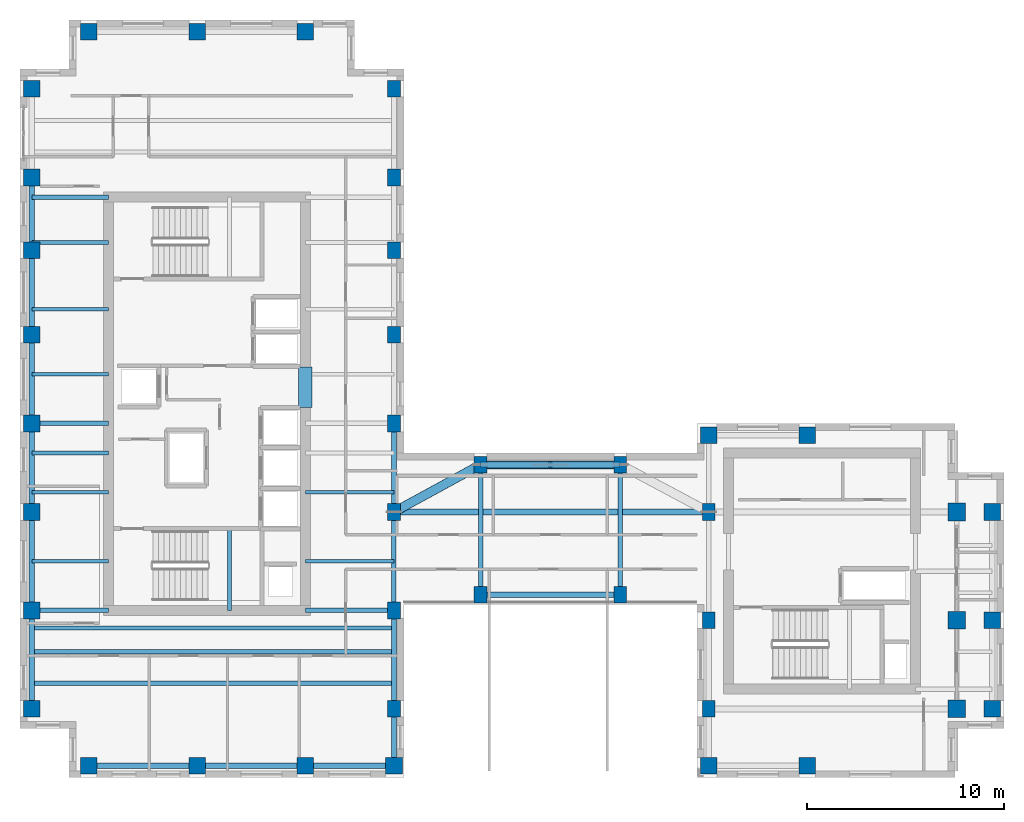
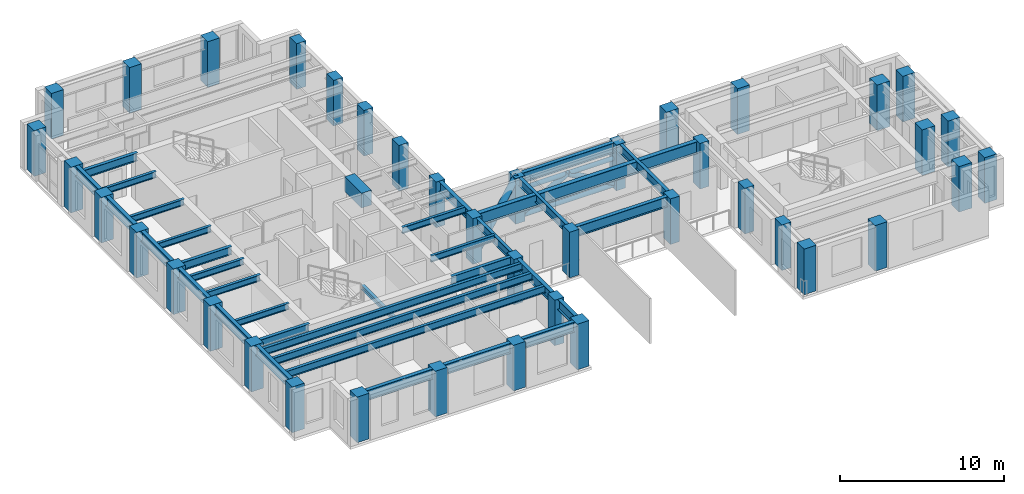
# One storey, part 1 of 14: 40 columns, 35 beams, 5 members.
"""IFC4 building model written with IfcOpenShell, lengths in metres."""

from ifc_helpers import new_model, si_unit, direction, frame, origin, origin_2d, place, context, subcontext, project, spatial, rectangle, hollow_circle, i_section, extrude, source, transform, mapped, material, material_profile, profile_set, type_object, element, save


model = new_model("IFC4")

# Units and contexts
model_context = context("Model", 3, precision=1e-05, world=origin(), true_north=direction((0.0, 1.0)))
body_context = subcontext(model_context, "Body", "Model", "MODEL_VIEW")
ifc_project = project(units=[si_unit("LENGTHUNIT", "METRE"), si_unit("AREAUNIT", "SQUARE_METRE"), si_unit("VOLUMEUNIT", "CUBIC_METRE"), si_unit("PLANEANGLEUNIT", "RADIAN"), si_unit("MASSUNIT", "GRAM", prefix="KILO")], contexts=[model_context])

# Site, building, storey
site_placement = place(None, origin())
site = spatial("IfcSite", under=ifc_project, at=site_placement, CompositionType="ELEMENT")
building_placement = place(site_placement, origin())
building = spatial("IfcBuilding", under=site, at=building_placement, Name="Kharzan Plaza Tower", CompositionType="ELEMENT")
storey_placement = place(building_placement, frame((0.0, 0.0, 241.199951171875)))
storey = spatial("IfcBuildingStorey", under=building, at=storey_placement, Name="L65", CompositionType="ELEMENT", Elevation=241.199951171875)

# Columns
ifc_material_1 = material(Name="Concrete C50/60", Category="concrete")
ifc_material_profile_1 = material_profile(ifc_material_1, rectangle(XDim=0.89990234375, YDim=0.89990234375, at=origin_2d()), Name="RC-IC900x900")
ifc_profile_set_1 = profile_set([ifc_material_profile_1], Name="Concrete C50/60")
column_type_1 = type_object("IfcColumnType", Name="COL-IC900", PredefinedType="COLUMN", material=ifc_profile_set_1)
shared_shape_1 = source(origin(), body_context, "Body", "SweptSolid", [
    extrude(rectangle(XDim=0.89990234375, YDim=0.89990234375, at=origin_2d()), origin(), (0.0, 0.0, 1.0), 3.400146484375),
])
for number, where, z_axis, x_axis, name in (
    (1, (47.60009765625, 13.5, 0.0), (0.0, 0.0, 1.0), (1.0, 0.0, 0.0), "L65 Structural Column TCBI-135"),
    (2, (47.60009765625, 3.5, 0.0), (0.0, 0.0, 1.0), (1.0, 0.0, 0.0), "L65 Structural Column TCBI-35"),
    (3, (47.60009765625, 8.0, 0.0), (0.0, 0.0, 1.0), (1.0, 0.0, 0.0), "L65 Structural Column TCBI-80"),
):
    element("IfcColumn", number, at=place(storey_placement, frame(where, z_axis=z_axis, x_axis=x_axis)), inside=storey, type_object=column_type_1, Name=name, PredefinedType="COLUMN", context=body_context, shape_type="MappedRepresentation", body=[
        mapped(shared_shape_1, transform((0.0, 0.0, 0.0), x_axis=(1.0, 0.0, 0.0), y_axis=(0.0, 1.0, 0.0), z_axis=(0.0, 0.0, 1.0))),
    ])
ifc_material_profile_2 = material_profile(ifc_material_1, rectangle(XDim=0.64990234375, YDim=0.85009765625, at=origin_2d()), Name="RC-SC850x650")
ifc_profile_set_2 = profile_set([ifc_material_profile_2], Name="Concrete C50/60")
column_type_2 = type_object("IfcColumnType", Name="COL-SC850", PredefinedType="COLUMN", material=ifc_profile_set_2)
shared_shape_2 = source(origin(), body_context, "Body", "SweptSolid", [
    extrude(rectangle(XDim=0.64990234375, YDim=0.85009765625, at=origin_2d()), origin(), (0.0, 0.0, 1.0), 3.400146484375),
])
for number, where, z_axis, x_axis, name in (
    (4, (19.0, 13.5, 0.0), (0.0, 0.0, 1.0), (1.0, 0.0, 0.0), "L65 Structural Column TCA-135"),
    (5, (19.0, 18.0, 0.0), (0.0, 0.0, 1.0), (1.0, 0.0, 0.0), "L65 Structural Column TCA-180"),
    (6, (19.0, 22.5, 0.0), (0.0, 0.0, 1.0), (1.0, 0.0, 0.0), "L65 Structural Column TCA-225"),
    (7, (19.0, 26.800048828125, 0.0), (0.0, 0.0, 1.0), (1.0, 0.0, 0.0), "L65 Structural Column TCA-268"),
    (8, (19.0, 30.5, 0.0), (0.0, 0.0, 1.0), (1.0, 0.0, 0.0), "L65 Structural Column TCA-305"),
    (9, (19.0, 3.5, 0.0), (0.0, 0.0, 1.0), (1.0, 0.0, 0.0), "L65 Structural Column TCA-35"),
    (10, (19.0, 35.0, 0.0), (0.0, 0.0, 1.0), (1.0, 0.0, 0.0), "L65 Structural Column TCA-350"),
    (11, (19.0, 8.5, 0.0), (0.0, 0.0, 1.0), (1.0, 0.0, 0.0), "L65 Structural Column TCA-85"),
    (12, (35.0, 13.5, 0.0), (0.0, 0.0, 1.0), (1.0, 0.0, 0.0), "L65 Structural Column TCBS-135"),
    (13, (35.0, 3.5, 0.0), (0.0, 0.0, 1.0), (1.0, 0.0, 0.0), "L65 Structural Column TCBS-35"),
    (14, (35.0, 8.0, 0.0), (0.0, 0.0, 1.0), (1.0, 0.0, 0.0), "L65 Structural Column TCBS-80"),
    (15, (23.39990234375, 15.89990234375, 0.0), (0.0, 0.0, 1.0), (1.0, 0.0, 0.0), "L65 Structural Column TCSP-234-159"),
    (16, (23.39990234375, 9.300048828125, 0.0), (0.0, 0.0, 1.0), (1.0, 0.0, 0.0), "L65 Structural Column TCSP-234-93"),
    (17, (30.5, 15.89990234375, 0.0), (0.0, 0.0, 1.0), (1.0, 0.0, 0.0), "L65 Structural Column TCSP-305-159"),
    (18, (30.5, 9.300048828125, 0.0), (0.0, 0.0, 1.0), (1.0, 0.0, 0.0), "L65 Structural Column TCSP-305-93"),
):
    element("IfcColumn", number, at=place(storey_placement, frame(where, z_axis=z_axis, x_axis=x_axis)), inside=storey, type_object=column_type_2, Name=name, PredefinedType="COLUMN", context=body_context, shape_type="MappedRepresentation", body=[
        mapped(shared_shape_2, transform((0.0, 0.0, 0.0), x_axis=(1.0, 0.0, 0.0), y_axis=(0.0, 1.0, 0.0), z_axis=(0.0, 0.0, 1.0))),
    ])
ifc_material_profile_3 = material_profile(ifc_material_1, rectangle(XDim=0.85009765625, YDim=0.85009765625, at=origin_2d()), Name="RC-TC850x850")
ifc_profile_set_3 = profile_set([ifc_material_profile_3], Name="Concrete C50/60")
column_type_3 = type_object("IfcColumnType", Name="COL-TC850", PredefinedType="COLUMN", material=ifc_profile_set_3)
shared_shape_3 = source(origin(), body_context, "Body", "SweptSolid", [
    extrude(rectangle(XDim=0.85009765625, YDim=0.85009765625, at=origin_2d()), origin(), (0.0, 0.0, 1.0), 3.400146484375),
])
for number, where, z_axis, x_axis, name in (
    (19, (35.0, 17.39990234375, 0.0), (0.0, 0.0, 1.0), (1.0, 0.0, 0.0), "L65 Structural Column TCBN-350-174"),
    (20, (40.0, 17.39990234375, 0.0), (0.0, 0.0, 1.0), (1.0, 0.0, 0.0), "L65 Structural Column TCBN-400-174"),
    (21, (49.39990234375, 13.5, 0.0), (0.0, 0.0, 1.0), (1.0, 0.0, 0.0), "L65 Structural Column TCE-494-135"),
    (22, (49.39990234375, 3.5, 0.0), (0.0, 0.0, 1.0), (1.0, 0.0, 0.0), "L65 Structural Column TCE-494-35"),
    (23, (49.39990234375, 8.0, 0.0), (0.0, 0.0, 1.0), (1.0, 0.0, 0.0), "L65 Structural Column TCE-494-80"),
    (24, (14.5, 37.89990234375, 0.0), (0.0, 0.0, 1.0), (1.0, 0.0, 0.0), "L65 Structural Column TCN-145-379"),
    (25, (3.5, 37.89990234375, 0.0), (0.0, 0.0, 1.0), (1.0, 0.0, 0.0), "L65 Structural Column TCN-35-379"),
    (26, (9.0, 37.89990234375, 0.0), (0.0, 0.0, 1.0), (1.0, 0.0, 0.0), "L65 Structural Column TCN-90-379"),
    (27, (14.5, 0.60009765625, 0.0), (0.0, 0.0, 1.0), (1.0, 0.0, 0.0), "L65 Structural Column TCS-145"),
    (28, (19.0, 0.60009765625, 0.0), (0.0, 0.0, 1.0), (1.0, 0.0, 0.0), "L65 Structural Column TCS-190"),
    (29, (3.5, 0.60009765625, 0.0), (0.0, 0.0, 1.0), (1.0, 0.0, 0.0), "L65 Structural Column TCS-35"),
    (30, (35.0, 0.60009765625, 0.0), (0.0, 0.0, 1.0), (1.0, 0.0, 0.0), "L65 Structural Column TCS-350"),
    (31, (40.0, 0.60009765625, 0.0), (0.0, 0.0, 1.0), (1.0, 0.0, 0.0), "L65 Structural Column TCS-400"),
    (32, (9.0, 0.60009765625, 0.0), (0.0, 0.0, 1.0), (1.0, 0.0, 0.0), "L65 Structural Column TCS-90"),
    (33, (0.60009765625, 13.5, 0.0), (0.0, 0.0, 1.0), (1.0, 0.0, 0.0), "L65 Structural Column TCW-135"),
    (34, (0.60009765625, 18.0, 0.0), (0.0, 0.0, 1.0), (1.0, 0.0, 0.0), "L65 Structural Column TCW-180"),
    (35, (0.60009765625, 22.5, 0.0), (0.0, 0.0, 1.0), (1.0, 0.0, 0.0), "L65 Structural Column TCW-225"),
    (36, (0.60009765625, 26.800048828125, 0.0), (0.0, 0.0, 1.0), (1.0, 0.0, 0.0), "L65 Structural Column TCW-268"),
    (37, (0.60009765625, 30.5, 0.0), (0.0, 0.0, 1.0), (1.0, 0.0, 0.0), "L65 Structural Column TCW-305"),
    (38, (0.60009765625, 3.5, 0.0), (0.0, 0.0, 1.0), (1.0, 0.0, 0.0), "L65 Structural Column TCW-35"),
    (39, (0.60009765625, 35.0, 0.0), (0.0, 0.0, 1.0), (1.0, 0.0, 0.0), "L65 Structural Column TCW-350"),
    (40, (0.60009765625, 8.5, 0.0), (0.0, 0.0, 1.0), (1.0, 0.0, 0.0), "L65 Structural Column TCW-85"),
):
    element("IfcColumn", number, at=place(storey_placement, frame(where, z_axis=z_axis, x_axis=x_axis)), inside=storey, type_object=column_type_3, Name=name, PredefinedType="COLUMN", context=body_context, shape_type="MappedRepresentation", body=[
        mapped(shared_shape_3, transform((0.0, 0.0, 0.0), x_axis=(1.0, 0.0, 0.0), y_axis=(0.0, 1.0, 0.0), z_axis=(0.0, 0.0, 1.0))),
    ])

# Beams
ifc_material_2 = material(Name="Concrete C60/75", Category="concrete")
ifc_material_profile_4 = material_profile(ifc_material_2, rectangle(XDim=0.699951171875, YDim=1.10009765625, at=origin_2d()), Name="RC-CB1100x700")
ifc_profile_set_4 = profile_set([ifc_material_profile_4], Name="Concrete C60/75")
beam_type_1 = type_object("IfcBeamType", Name="BM-RCCB1100", PredefinedType="LINTEL", material=ifc_profile_set_4)
shared_shape_4 = source(origin(), body_context, "Body", "SweptSolid", [
    extrude(rectangle(XDim=0.699951171875, YDim=1.10009765625, at=origin_2d()), origin(), (0.0, 0.0, 1.0), 2.059814453125),
])
beam_1_placement = place(storey_placement, frame((14.5, 18.820068359375, 2.85009765625), z_axis=(0.0, 1.0, 0.0), x_axis=(-1.0, 0.0, 0.0)))
element("IfcBeam", 41, at=beam_1_placement, inside=storey, type_object=beam_type_1, Name="L65 CORE-A RC coupling beam CB1", PredefinedType="LINTEL", context=body_context, shape_type="MappedRepresentation", body=[
    mapped(shared_shape_4, transform((0.0, 0.0, 0.0), x_axis=(1.0, 0.0, 0.0), y_axis=(0.0, 1.0, 0.0), z_axis=(0.0, 0.0, 1.0))),
])
ifc_material_3 = material(Name="Steel S355", Category="steel")
ifc_material_profile_5 = material_profile(ifc_material_3, i_section(OverallWidth=0.205078125, OverallDepth=0.35400390625, WebThickness=0.009521484375, FlangeThickness=0.016845703125, at=origin_2d()), Name="W360x79")
ifc_profile_set_5 = profile_set([ifc_material_profile_5], Name="Steel S355")
beam_type_2 = type_object("IfcBeamType", Name="BM-LNT360", PredefinedType="LINTEL", material=ifc_profile_set_5)
shared_shape_5 = source(origin(), body_context, "Body", "SweptSolid", [
    extrude(i_section(OverallWidth=0.205078125, OverallDepth=0.35400390625, WebThickness=0.009521484375, FlangeThickness=0.016845703125, at=origin_2d()), origin(), (0.0, 0.0, 1.0), 4.155029296875),
])
beam_2_placement = place(storey_placement, frame((10.64990234375, 8.5, 1.423095703125), z_axis=(0.0, 1.0, 0.0), x_axis=(-1.0, 0.0, 0.0)))
element("IfcBeam", 42, at=beam_2_placement, inside=storey, type_object=beam_type_2, Name="L65 Stair ST-1 Half-Landing Beam", PredefinedType="LINTEL", context=body_context, shape_type="MappedRepresentation", body=[
    mapped(shared_shape_5, transform((0.0, 0.0, 0.0), x_axis=(1.0, 0.0, 0.0), y_axis=(0.0, 1.0, 0.0), z_axis=(0.0, 0.0, 1.0))),
])
ifc_material_profile_6 = material_profile(ifc_material_3, i_section(OverallWidth=0.304931640625, OverallDepth=0.9189453125, WebThickness=0.017333984375, FlangeThickness=0.02783203125, at=origin_2d()), Name="W920x253")
ifc_profile_set_6 = profile_set([ifc_material_profile_6], Name="Steel S355")
beam_type_3 = type_object("IfcBeamType", Name="BM-FG920B", PredefinedType="BEAM", material=ifc_profile_set_6)
shared_shape_6 = source(origin(), body_context, "Body", "SweptSolid", [
    extrude(i_section(OverallWidth=0.304931640625, OverallDepth=0.9189453125, WebThickness=0.017333984375, FlangeThickness=0.02783203125, at=origin_2d()), origin(), (0.0, 0.0, 1.0), 16.0),
])
beam_3_placement = place(storey_placement, frame((19.0, 13.5, 2.9404296875), z_axis=(1.0, 0.0, 0.0), x_axis=(0.0, 1.0, 0.0)))
element("IfcBeam", 43, at=beam_3_placement, inside=storey, type_object=beam_type_3, Name="L65 Primary Floor Girder", PredefinedType="BEAM", context=body_context, shape_type="MappedRepresentation", body=[
    mapped(shared_shape_6, transform((0.0, 0.0, 0.0), x_axis=(1.0, 0.0, 0.0), y_axis=(0.0, 1.0, 0.0), z_axis=(0.0, 0.0, 1.0))),
])
ifc_material_profile_7 = material_profile(ifc_material_3, i_section(OverallWidth=0.2099609375, OverallDepth=0.537109375, WebThickness=0.010986328125, FlangeThickness=0.017333984375, at=origin_2d()), Name="W530x101")
ifc_profile_set_7 = profile_set([ifc_material_profile_7], Name="Steel S355")
beam_type_4 = type_object("IfcBeamType", Name="BM-JST530B", PredefinedType="JOIST", material=ifc_profile_set_7)
shared_shape_7 = source(origin(), body_context, "Body", "SweptSolid", [
    extrude(i_section(OverallWidth=0.2099609375, OverallDepth=0.537109375, WebThickness=0.010986328125, FlangeThickness=0.017333984375, at=origin_2d()), origin(), (0.0, 0.0, 1.0), 18.39990234375),
])
for number, where, z_axis, x_axis, name in (
    (44, (0.60009765625, 4.800048828125, 3.131591796875), (1.0, 0.0, 0.0), (0.0, 1.0, 0.0), "L65 Wing A Composite Joist 01"),
    (45, (0.60009765625, 6.39990234375, 3.131591796875), (1.0, 0.0, 0.0), (0.0, 1.0, 0.0), "L65 Wing A Composite Joist 02"),
    (46, (0.60009765625, 7.60009765625, 3.131591796875), (1.0, 0.0, 0.0), (0.0, 1.0, 0.0), "L65 Wing A Composite Joist 03"),
):
    element("IfcBeam", number, at=place(storey_placement, frame(where, z_axis=z_axis, x_axis=x_axis)), inside=storey, type_object=beam_type_4, Name=name, PredefinedType="JOIST", context=body_context, shape_type="MappedRepresentation", body=[
        mapped(shared_shape_7, transform((0.0, 0.0, 0.0), x_axis=(1.0, 0.0, 0.0), y_axis=(0.0, 1.0, 0.0), z_axis=(0.0, 0.0, 1.0))),
    ])
ifc_material_profile_8 = material_profile(ifc_material_3, i_section(OverallWidth=0.194091796875, OverallDepth=0.468994140625, WebThickness=0.011474609375, FlangeThickness=0.0205078125, at=origin_2d()), Name="W460x106")
ifc_profile_set_8 = profile_set([ifc_material_profile_8], Name="Steel S355")
beam_type_5 = type_object("IfcBeamType", Name="BM-JST460", PredefinedType="JOIST", material=ifc_profile_set_8)
shared_shape_8 = source(origin(), body_context, "Body", "SweptSolid", [
    extrude(i_section(OverallWidth=0.194091796875, OverallDepth=0.468994140625, WebThickness=0.011474609375, FlangeThickness=0.0205078125, at=origin_2d()), origin(), (0.0, 0.0, 1.0), 4.5),
])
for number, where, z_axis, x_axis, name in (
    (47, (14.5, 11.0, 3.16552734375), (1.0, 0.0, 0.0), (0.0, 1.0, 0.0), "L65 Wing A East Infill Joist 1"),
    (48, (14.5, 14.5, 3.16552734375), (1.0, 0.0, 0.0), (0.0, 1.0, 0.0), "L65 Wing A East Infill Joist 2"),
):
    element("IfcBeam", number, at=place(storey_placement, frame(where, z_axis=z_axis, x_axis=x_axis)), inside=storey, type_object=beam_type_5, Name=name, PredefinedType="JOIST", context=body_context, shape_type="MappedRepresentation", body=[
        mapped(shared_shape_8, transform((0.0, 0.0, 0.0), x_axis=(1.0, 0.0, 0.0), y_axis=(0.0, 1.0, 0.0), z_axis=(0.0, 0.0, 1.0))),
    ])
shared_shape_9 = source(origin(), body_context, "Body", "SweptSolid", [
    extrude(i_section(OverallWidth=0.194091796875, OverallDepth=0.468994140625, WebThickness=0.011474609375, FlangeThickness=0.0205078125, at=origin_2d()), origin(), (0.0, 0.0, 1.0), 3.89990234375),
])
for number, where, z_axis, x_axis, name in (
    (49, (0.60009765625, 11.0, 3.16552734375), (1.0, 0.0, 0.0), (0.0, 1.0, 0.0), "L65 Wing A West Infill Joist 1"),
    (50, (0.60009765625, 14.5, 3.16552734375), (1.0, 0.0, 0.0), (0.0, 1.0, 0.0), "L65 Wing A West Infill Joist 2"),
    (51, (0.60009765625, 16.5, 3.16552734375), (1.0, 0.0, 0.0), (0.0, 1.0, 0.0), "L65 Wing A West Infill Joist 3"),
    (52, (0.60009765625, 20.5, 3.16552734375), (1.0, 0.0, 0.0), (0.0, 1.0, 0.0), "L65 Wing A West Infill Joist 4"),
    (53, (0.60009765625, 23.800048828125, 3.16552734375), (1.0, 0.0, 0.0), (0.0, 1.0, 0.0), "L65 Wing A West Infill Joist 5"),
    (54, (0.60009765625, 27.199951171875, 3.16552734375), (1.0, 0.0, 0.0), (0.0, 1.0, 0.0), "L65 Wing A West Infill Joist 6"),
):
    element("IfcBeam", number, at=place(storey_placement, frame(where, z_axis=z_axis, x_axis=x_axis)), inside=storey, type_object=beam_type_5, Name=name, PredefinedType="JOIST", context=body_context, shape_type="MappedRepresentation", body=[
        mapped(shared_shape_9, transform((0.0, 0.0, 0.0), x_axis=(1.0, 0.0, 0.0), y_axis=(0.0, 1.0, 0.0), z_axis=(0.0, 0.0, 1.0))),
    ])

# Members
ifc_material_profile_9 = material_profile(ifc_material_3, hollow_circle(Radius=0.162109375, WallThickness=0.012451171875, at=origin_2d()), Name="CHS324x12.5")
ifc_profile_set_9 = profile_set([ifc_material_profile_9], Name="Steel S355")
member_type_1 = type_object("IfcMemberType", Name="MEM-TS-RING", PredefinedType="BRACE", material=ifc_profile_set_9)
shared_shape_10 = source(origin(), body_context, "Body", "SweptSolid", [
    extrude(hollow_circle(Radius=0.162109375, WallThickness=0.012451171875, at=origin_2d()), origin(), (0.0, 0.0, 1.0), 7.10009765625),
])
for number, where, z_axis, x_axis, name in (
    (55, (23.39990234375, 15.89990234375, 0.199951171875), (1.0, 0.0, 0.0), (0.0, 1.0, 0.0), "L65 Wind Turbine Slot Bottom Chord"),
    (56, (23.39990234375, 15.89990234375, 2.179931640625), (1.0, 0.0, 0.0), (0.0, 1.0, 0.0), "L65 Wind Turbine Slot Top Chord"),
):
    element("IfcMember", number, at=place(storey_placement, frame(where, z_axis=z_axis, x_axis=x_axis)), inside=storey, type_object=member_type_1, Name=name, PredefinedType="BRACE", context=body_context, shape_type="MappedRepresentation", body=[
        mapped(shared_shape_10, transform((0.0, 0.0, 0.0), x_axis=(1.0, 0.0, 0.0), y_axis=(0.0, 1.0, 0.0), z_axis=(0.0, 0.0, 1.0))),
    ])

# Beams
ifc_material_profile_10 = material_profile(ifc_material_3, i_section(OverallWidth=0.22900390625, OverallDepth=0.612060546875, WebThickness=0.011962890625, FlangeThickness=0.01953125, at=origin_2d()), Name="W610x125")
ifc_profile_set_10 = profile_set([ifc_material_profile_10], Name="Steel S355")
beam_type_6 = type_object("IfcBeamType", Name="BM-FG610B", PredefinedType="BEAM", material=ifc_profile_set_10)
shared_shape_11 = source(origin(), body_context, "Body", "SweptSolid", [
    extrude(i_section(OverallWidth=0.22900390625, OverallDepth=0.612060546875, WebThickness=0.011962890625, FlangeThickness=0.01953125, at=origin_2d()), origin(), (0.0, 0.0, 1.0), 4.5),
])
beam_4_placement = place(storey_placement, frame((14.5, 8.5, 3.093994140625), z_axis=(1.0, 0.0, 0.0), x_axis=(0.0, 1.0, 0.0)))
element("IfcBeam", 57, at=beam_4_placement, inside=storey, type_object=beam_type_6, Name="L65 Core-A East Floor Girder 1", PredefinedType="BEAM", context=body_context, shape_type="MappedRepresentation", body=[
    mapped(shared_shape_11, transform((0.0, 0.0, 0.0), x_axis=(1.0, 0.0, 0.0), y_axis=(0.0, 1.0, 0.0), z_axis=(0.0, 0.0, 1.0))),
])
shared_shape_12 = source(origin(), body_context, "Body", "SweptSolid", [
    extrude(i_section(OverallWidth=0.22900390625, OverallDepth=0.612060546875, WebThickness=0.011962890625, FlangeThickness=0.01953125, at=origin_2d()), origin(), (0.0, 0.0, 1.0), 3.89990234375),
])
for number, where, z_axis, x_axis, name in (
    (58, (0.60009765625, 8.5, 3.093994140625), (1.0, 0.0, 0.0), (0.0, 1.0, 0.0), "L65 Core-A West Floor Girder 1"),
    (59, (0.60009765625, 18.0, 3.093994140625), (1.0, 0.0, 0.0), (0.0, 1.0, 0.0), "L65 Core-A West Floor Girder 2"),
    (60, (0.60009765625, 29.5, 3.093994140625), (1.0, 0.0, 0.0), (0.0, 1.0, 0.0), "L65 Core-A West Floor Girder 3"),
):
    element("IfcBeam", number, at=place(storey_placement, frame(where, z_axis=z_axis, x_axis=x_axis)), inside=storey, type_object=beam_type_6, Name=name, PredefinedType="BEAM", context=body_context, shape_type="MappedRepresentation", body=[
        mapped(shared_shape_12, transform((0.0, 0.0, 0.0), x_axis=(1.0, 0.0, 0.0), y_axis=(0.0, 1.0, 0.0), z_axis=(0.0, 0.0, 1.0))),
    ])
shared_shape_13 = source(origin(), body_context, "Body", "SweptSolid", [
    extrude(i_section(OverallWidth=0.22900390625, OverallDepth=0.612060546875, WebThickness=0.011962890625, FlangeThickness=0.01953125, at=origin_2d()), origin(), (0.0, 0.0, 1.0), 5.0),
])
beam_5_placement = place(storey_placement, frame((19.0, 8.5, 3.093994140625), z_axis=(0.0, 1.0, 0.0), x_axis=(-1.0, 0.0, 0.0)))
element("IfcBeam", 61, at=beam_5_placement, inside=storey, type_object=beam_type_6, Name="L65 Interior Frame Girder", PredefinedType="BEAM", context=body_context, shape_type="MappedRepresentation", body=[
    mapped(shared_shape_13, transform((0.0, 0.0, 0.0), x_axis=(1.0, 0.0, 0.0), y_axis=(0.0, 1.0, 0.0), z_axis=(0.0, 0.0, 1.0))),
])
shared_shape_14 = source(origin(), body_context, "Body", "SweptSolid", [
    extrude(i_section(OverallWidth=0.22900390625, OverallDepth=0.612060546875, WebThickness=0.011962890625, FlangeThickness=0.01953125, at=origin_2d()), origin(), (0.0, 0.0, 1.0), 6.599853515625),
])
for number, where, z_axis, x_axis, name in (
    (62, (23.39990234375, 9.300048828125, 3.093994140625), (0.0, 1.0, 0.0), (-1.0, 0.0, 0.0), "L65 Interior Frame Girder"),
    (63, (30.5, 9.300048828125, 3.093994140625), (0.0, 1.0, 0.0), (-1.0, 0.0, 0.0), "L65 Interior Frame Girder"),
):
    element("IfcBeam", number, at=place(storey_placement, frame(where, z_axis=z_axis, x_axis=x_axis)), inside=storey, type_object=beam_type_6, Name=name, PredefinedType="BEAM", context=body_context, shape_type="MappedRepresentation", body=[
        mapped(shared_shape_14, transform((0.0, 0.0, 0.0), x_axis=(1.0, 0.0, 0.0), y_axis=(0.0, 1.0, 0.0), z_axis=(0.0, 0.0, 1.0))),
    ])
ifc_material_profile_11 = material_profile(ifc_material_3, i_section(OverallWidth=0.26708984375, OverallDepth=0.76611328125, WebThickness=0.014892578125, FlangeThickness=0.023681640625, at=origin_2d()), Name="W760x185")
ifc_profile_set_11 = profile_set([ifc_material_profile_11], Name="Steel S355")
beam_type_7 = type_object("IfcBeamType", Name="BM-SP760B", PredefinedType="SPANDREL", material=ifc_profile_set_11)
shared_shape_15 = source(origin(), body_context, "Body", "SweptSolid", [
    extrude(i_section(OverallWidth=0.26708984375, OverallDepth=0.76611328125, WebThickness=0.014892578125, FlangeThickness=0.023681640625, at=origin_2d()), origin(), (0.0, 0.0, 1.0), 5.0),
])
for number, where, z_axis, x_axis, name in (
    (64, (0.60009765625, 3.5, 3.01708984375), (0.0, 1.0, 0.0), (-1.0, 0.0, 0.0), "L65 Perimeter Tube Spandrel"),
    (65, (0.60009765625, 8.5, 3.01708984375), (0.0, 1.0, 0.0), (-1.0, 0.0, 0.0), "L65 Perimeter Tube Spandrel"),
    (66, (19.0, 3.5, 3.01708984375), (0.0, 1.0, 0.0), (-1.0, 0.0, 0.0), "L65 Perimeter Tube Spandrel"),
):
    element("IfcBeam", number, at=place(storey_placement, frame(where, z_axis=z_axis, x_axis=x_axis)), inside=storey, type_object=beam_type_7, Name=name, PredefinedType="SPANDREL", context=body_context, shape_type="MappedRepresentation", body=[
        mapped(shared_shape_15, transform((0.0, 0.0, 0.0), x_axis=(1.0, 0.0, 0.0), y_axis=(0.0, 1.0, 0.0), z_axis=(0.0, 0.0, 1.0))),
    ])
shared_shape_16 = source(origin(), body_context, "Body", "SweptSolid", [
    extrude(i_section(OverallWidth=0.26708984375, OverallDepth=0.76611328125, WebThickness=0.014892578125, FlangeThickness=0.023681640625, at=origin_2d()), origin(), (0.0, 0.0, 1.0), 4.5),
])
for number, where, z_axis, x_axis, name in (
    (67, (0.60009765625, 13.5, 3.01708984375), (0.0, 1.0, 0.0), (-1.0, 0.0, 0.0), "L65 Perimeter Tube Spandrel"),
    (68, (0.60009765625, 18.0, 3.01708984375), (0.0, 1.0, 0.0), (-1.0, 0.0, 0.0), "L65 Perimeter Tube Spandrel"),
    (69, (19.0, 13.5, 3.01708984375), (0.0, 1.0, 0.0), (-1.0, 0.0, 0.0), "L65 Perimeter Tube Spandrel"),
    (70, (14.5, 0.60009765625, 3.01708984375), (1.0, 0.0, 0.0), (0.0, 1.0, 0.0), "L65 Perimeter Tube Spandrel"),
):
    element("IfcBeam", number, at=place(storey_placement, frame(where, z_axis=z_axis, x_axis=x_axis)), inside=storey, type_object=beam_type_7, Name=name, PredefinedType="SPANDREL", context=body_context, shape_type="MappedRepresentation", body=[
        mapped(shared_shape_16, transform((0.0, 0.0, 0.0), x_axis=(1.0, 0.0, 0.0), y_axis=(0.0, 1.0, 0.0), z_axis=(0.0, 0.0, 1.0))),
    ])
shared_shape_17 = source(origin(), body_context, "Body", "SweptSolid", [
    extrude(i_section(OverallWidth=0.26708984375, OverallDepth=0.76611328125, WebThickness=0.014892578125, FlangeThickness=0.023681640625, at=origin_2d()), origin(), (0.0, 0.0, 1.0), 4.300048828125),
])
beam_6_placement = place(storey_placement, frame((0.60009765625, 22.5, 3.01708984375), z_axis=(0.0, 1.0, 0.0), x_axis=(-1.0, 0.0, 0.0)))
element("IfcBeam", 71, at=beam_6_placement, inside=storey, type_object=beam_type_7, Name="L65 Perimeter Tube Spandrel", PredefinedType="SPANDREL", context=body_context, shape_type="MappedRepresentation", body=[
    mapped(shared_shape_17, transform((0.0, 0.0, 0.0), x_axis=(1.0, 0.0, 0.0), y_axis=(0.0, 1.0, 0.0), z_axis=(0.0, 0.0, 1.0))),
])
shared_shape_18 = source(origin(), body_context, "Body", "SweptSolid", [
    extrude(i_section(OverallWidth=0.26708984375, OverallDepth=0.76611328125, WebThickness=0.014892578125, FlangeThickness=0.023681640625, at=origin_2d()), origin(), (0.0, 0.0, 1.0), 3.699951171875),
])
beam_7_placement = place(storey_placement, frame((0.60009765625, 26.800048828125, 3.01708984375), z_axis=(0.0, 1.0, 0.0), x_axis=(-1.0, 0.0, 0.0)))
element("IfcBeam", 72, at=beam_7_placement, inside=storey, type_object=beam_type_7, Name="L65 Perimeter Tube Spandrel", PredefinedType="SPANDREL", context=body_context, shape_type="MappedRepresentation", body=[
    mapped(shared_shape_18, transform((0.0, 0.0, 0.0), x_axis=(1.0, 0.0, 0.0), y_axis=(0.0, 1.0, 0.0), z_axis=(0.0, 0.0, 1.0))),
])
shared_shape_19 = source(origin(), body_context, "Body", "SweptSolid", [
    extrude(i_section(OverallWidth=0.26708984375, OverallDepth=0.76611328125, WebThickness=0.014892578125, FlangeThickness=0.023681640625, at=origin_2d()), origin(), (0.0, 0.0, 1.0), 2.89990234375),
])
beam_8_placement = place(storey_placement, frame((19.0, 0.60009765625, 3.01708984375), z_axis=(0.0, 1.0, 0.0), x_axis=(-1.0, 0.0, 0.0)))
element("IfcBeam", 73, at=beam_8_placement, inside=storey, type_object=beam_type_7, Name="L65 Perimeter Tube Spandrel", PredefinedType="SPANDREL", context=body_context, shape_type="MappedRepresentation", body=[
    mapped(shared_shape_19, transform((0.0, 0.0, 0.0), x_axis=(1.0, 0.0, 0.0), y_axis=(0.0, 1.0, 0.0), z_axis=(0.0, 0.0, 1.0))),
])
shared_shape_20 = source(origin(), body_context, "Body", "SweptSolid", [
    extrude(i_section(OverallWidth=0.26708984375, OverallDepth=0.76611328125, WebThickness=0.014892578125, FlangeThickness=0.023681640625, at=origin_2d()), origin(), (0.0, 0.0, 1.0), 5.5),
])
for number, where, z_axis, x_axis, name in (
    (74, (3.5, 0.60009765625, 3.01708984375), (1.0, 0.0, 0.0), (0.0, 1.0, 0.0), "L65 Perimeter Tube Spandrel"),
    (75, (9.0, 0.60009765625, 3.01708984375), (1.0, 0.0, 0.0), (0.0, 1.0, 0.0), "L65 Perimeter Tube Spandrel"),
):
    element("IfcBeam", number, at=place(storey_placement, frame(where, z_axis=z_axis, x_axis=x_axis)), inside=storey, type_object=beam_type_7, Name=name, PredefinedType="SPANDREL", context=body_context, shape_type="MappedRepresentation", body=[
        mapped(shared_shape_20, transform((0.0, 0.0, 0.0), x_axis=(1.0, 0.0, 0.0), y_axis=(0.0, 1.0, 0.0), z_axis=(0.0, 0.0, 1.0))),
    ])
shared_shape_21 = source(origin(), body_context, "Body", "SweptSolid", [
    extrude(i_section(OverallWidth=0.26708984375, OverallDepth=0.76611328125, WebThickness=0.014892578125, FlangeThickness=0.023681640625, at=origin_2d()), origin(), (0.0, 0.0, 1.0), 7.10009765625),
])
for number, where, z_axis, x_axis, name in (
    (76, (23.39990234375, 9.300048828125, 3.01708984375), (1.0, 0.0, 0.0), (0.0, 1.0, 0.0), "L65 Perimeter Tube Spandrel"),
    (77, (23.39990234375, 15.89990234375, 3.01708984375), (1.0, 0.0, 0.0), (0.0, 1.0, 0.0), "L65 Perimeter Tube Spandrel"),
):
    element("IfcBeam", number, at=place(storey_placement, frame(where, z_axis=z_axis, x_axis=x_axis)), inside=storey, type_object=beam_type_7, Name=name, PredefinedType="SPANDREL", context=body_context, shape_type="MappedRepresentation", body=[
        mapped(shared_shape_21, transform((0.0, 0.0, 0.0), x_axis=(1.0, 0.0, 0.0), y_axis=(0.0, 1.0, 0.0), z_axis=(0.0, 0.0, 1.0))),
    ])

# Members
ifc_material_profile_12 = material_profile(ifc_material_3, hollow_circle(Radius=0.202880859375, WallThickness=0.01611328125, at=origin_2d()), Name="CHS406x16")
ifc_profile_set_12 = profile_set([ifc_material_profile_12], Name="Steel S355")
member_type_2 = type_object("IfcMemberType", Name="MEM-TS-STRUT", PredefinedType="STRUT", material=ifc_profile_set_12)
shared_shape_22 = source(origin(), body_context, "Body", "SweptSolid", [
    extrude(hollow_circle(Radius=0.202880859375, WallThickness=0.01611328125, at=origin_2d()), origin(), (0.0, 0.0, 1.0), 4.06494140625),
])
for number, where, z_axis, x_axis, name in (
    (78, (23.39990234375, 15.89990234375, 0.199951171875), (0.873348642606, 0.0, 0.487095625579), (0.0, 1.0, 0.0), "L65 Wind Turbine Slot Rotor Strut 1"),
    (79, (30.5, 15.89990234375, 0.199951171875), (-0.873348642606, 0.0, 0.487095625579), (0.0, -1.0, 0.0), "L65 Wind Turbine Slot Rotor Strut 2"),
):
    element("IfcMember", number, at=place(storey_placement, frame(where, z_axis=z_axis, x_axis=x_axis)), inside=storey, type_object=member_type_2, Name=name, PredefinedType="STRUT", context=body_context, shape_type="MappedRepresentation", body=[
        mapped(shared_shape_22, transform((0.0, 0.0, 0.0), x_axis=(1.0, 0.0, 0.0), y_axis=(0.0, 1.0, 0.0), z_axis=(0.0, 0.0, 1.0))),
    ])
ifc_material_profile_13 = material_profile(ifc_material_3, hollow_circle(Radius=0.228515625, WallThickness=0.01611328125, at=origin_2d()), Name="CHS457x16")
ifc_profile_set_13 = profile_set([ifc_material_profile_13], Name="Steel S355")
member_type_3 = type_object("IfcMemberType", Name="MEM-WP-STRUT", PredefinedType="STRUT", material=ifc_profile_set_13)
shared_shape_23 = source(origin(), body_context, "Body", "SweptSolid", [
    extrude(hollow_circle(Radius=0.228515625, WallThickness=0.01611328125, at=origin_2d()), origin(), (0.0, 0.0, 1.0), 5.882568359375),
])
member_placement = place(storey_placement, frame((19.0, 13.5, 0.199951171875), z_axis=(0.747945820325, 0.407962901664, 0.52358697532), x_axis=(-0.47884530469, 0.877899296147, 0.0)))
element("IfcMember", 80, at=member_placement, inside=storey, type_object=member_type_3, Name="L65 Wind Portal Frame V-Strut West", PredefinedType="STRUT", context=body_context, shape_type="MappedRepresentation", body=[
    mapped(shared_shape_23, transform((0.0, 0.0, 0.0), x_axis=(1.0, 0.0, 0.0), y_axis=(0.0, 1.0, 0.0), z_axis=(0.0, 0.0, 1.0))),
])

save(model, "model.ifc")
